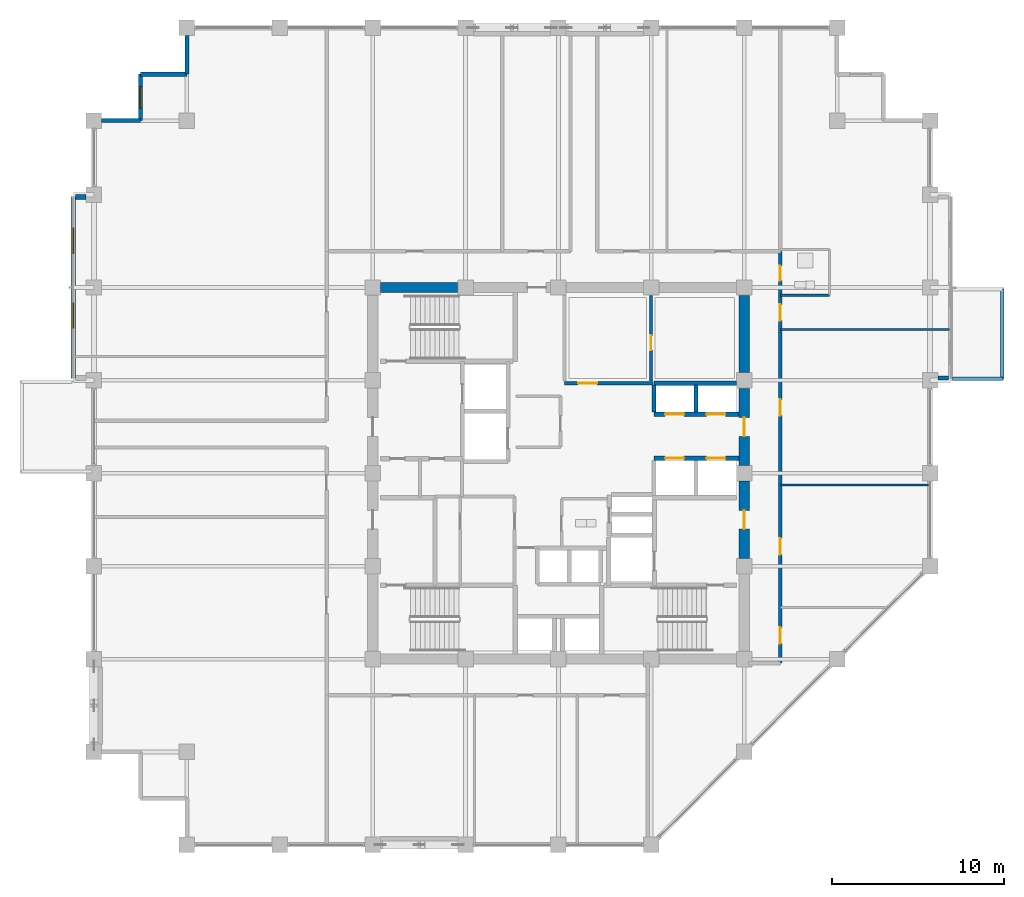
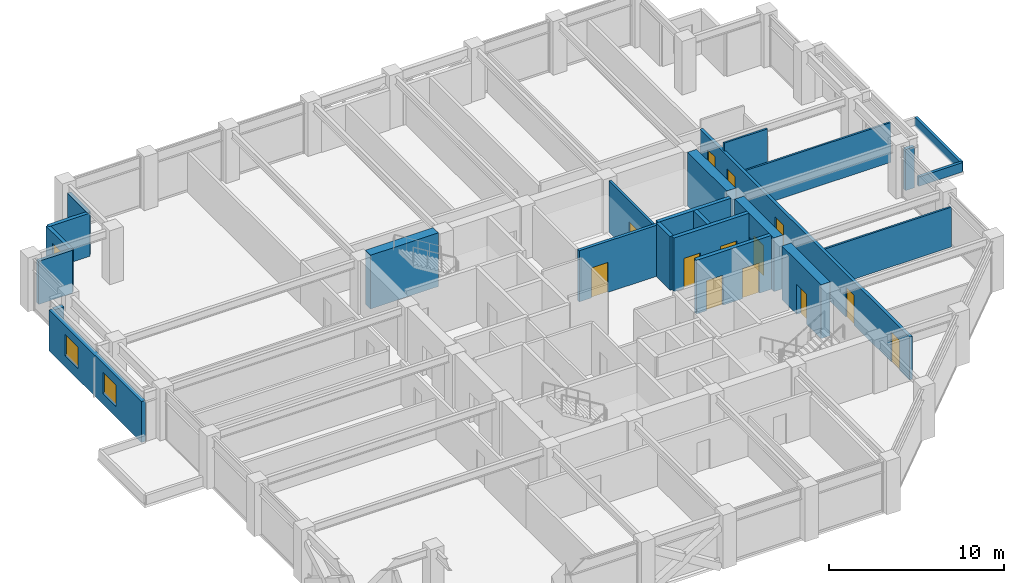
# One storey, part 24 of 28: 24 walls, 13 doors, 3 windows, 16 openings.
"""IFC4 building model written with IfcOpenShell, lengths in metres."""

from ifc_helpers import new_model, si_unit, direction, frame, frame_2d, origin, place, context, subcontext, project, spatial, rectangle, extrude, material, layer, layer_set, type_object, element, fill, save


model = new_model("IFC4")

# Units and contexts
model_context = context("Model", 3, precision=1e-05, world=origin(), true_north=direction((0.0, 1.0)))
body_context = subcontext(model_context, "Body", "Model", "MODEL_VIEW")
ifc_project = project(units=[si_unit("LENGTHUNIT", "METRE"), si_unit("AREAUNIT", "SQUARE_METRE"), si_unit("VOLUMEUNIT", "CUBIC_METRE"), si_unit("PLANEANGLEUNIT", "RADIAN"), si_unit("MASSUNIT", "GRAM", prefix="KILO")], contexts=[model_context])

# Site, building, storey
site_placement = place(None, origin())
site = spatial("IfcSite", under=ifc_project, at=site_placement, CompositionType="ELEMENT")
building_placement = place(site_placement, origin())
building = spatial("IfcBuilding", under=site, at=building_placement, Name="Surkhivell Harbour Commons", CompositionType="ELEMENT")
storey_placement = place(building_placement, frame((0.0, 0.0, 182.25)))
storey = spatial("IfcBuildingStorey", under=building, at=storey_placement, Name="L47", CompositionType="ELEMENT", Elevation=182.25)

# Wall
ifc_material_1 = material(Name="Concrete C60/75", Category="concrete")
ifc_layer_1 = layer(ifc_material_1, 0.60009765625)
ifc_layer_set_1 = layer_set([ifc_layer_1], Name="Concrete C60/75")
wall_type_1 = type_object("IfcWallType", Name="WAL-CORE-600", PredefinedType="SHEAR", material=ifc_layer_set_1)
wall_1_placement = place(storey_placement, frame((-10.340087890625, 10.800048828125, 0.0), z_axis=(0.0, 0.0, 1.0), x_axis=(1.0, 0.0, 0.0)))
element("IfcWall", 1, at=wall_1_placement, inside=storey, type_object=wall_type_1, Name="L47 Core Shear Wall North 1", PredefinedType="SHEAR", context=body_context, shape_type="SweptSolid", body=[
    extrude(rectangle(XDim=4.47998046875, YDim=0.60009765625, at=frame_2d((2.239990234375, 0.0))), origin(), (0.0, 0.0, 1.0), 3.75),
])

# Wall, opening, door
wall_2_placement = place(storey_placement, frame((10.800048828125, -4.93994140625, 0.0), z_axis=(0.0, 0.0, 1.0), x_axis=(0.0, 1.0, 0.0)))
wall_2 = element("IfcWall", 2, at=wall_2_placement, inside=storey, type_object=wall_type_1, Name="L47 Core Shear Wall East 2", PredefinedType="SHEAR", context=body_context, shape_type="SweptSolid", body=[
    extrude(rectangle(XDim=4.47998046875, YDim=0.60009765625, at=frame_2d((2.239990234375, 0.0))), origin(), (0.0, 0.0, 1.0), 3.75),
])
opening_1_placement = place(wall_2_placement, frame((1.68994140625, 0.0, 0.0)))
opening_1 = element("IfcOpeningElement", 3, at=opening_1_placement, cuts=wall_2, Name="Opening ID-1", PredefinedType="OPENING", context=body_context, shape_type="SweptSolid", body=[
    extrude(rectangle(XDim=1.10009765625, YDim=2.10009765625, at=frame_2d((0.550048828125, 1.050048828125))), frame((0.0, 0.31005859375, 0.0), z_axis=(0.0, -1.0, 0.0), x_axis=(1.0, 0.0, 0.0)), (0.0, 0.0, 1.0), 0.6201171875),
])
ifc_material_2 = material(Name="Hardwood-veneered fire-rated door leaf", Category="wood")
door_type_1 = type_object("IfcDoorType", Name="DOR-FD120-1100", OperationType="NOTDEFINED", PredefinedType="DOOR", material=ifc_material_2)
door_1_placement = place(opening_1_placement, origin())
door_1 = element("IfcDoor", 4, at=door_1_placement, inside=storey, type_object=door_type_1, Name="L47 Firefighting Lobby 2 Corridor Door", OperationType="SINGLE_SWING_RIGHT", OverallHeight=2.10009765625, OverallWidth=1.10009765625, PredefinedType="DOOR", context=body_context, shape_type="SweptSolid", body=[
    extrude(rectangle(XDim=1.10009765625, YDim=2.10009765625, at=frame_2d((0.550048828125, 1.050048828125))), frame((0.0, 0.02490234375, 0.0), z_axis=(0.0, -1.0, 0.0), x_axis=(1.0, 0.0, 0.0)), (0.0, 0.0, 1.0), 0.050048828125),
])
fill(opening_1, door_1)

wall_3_placement = place(storey_placement, frame((10.800048828125, 0.4599609375, 0.0), z_axis=(0.0, 0.0, 1.0), x_axis=(0.0, 1.0, 0.0)))
wall_3 = element("IfcWall", 5, at=wall_3_placement, inside=storey, type_object=wall_type_1, Name="L47 Core Shear Wall East 3", PredefinedType="SHEAR", context=body_context, shape_type="SweptSolid", body=[
    extrude(rectangle(XDim=4.47998046875, YDim=0.60009765625, at=frame_2d((2.239990234375, 0.0))), origin(), (0.0, 0.0, 1.0), 3.75),
])
opening_2_placement = place(wall_3_placement, frame((1.68994140625, 0.0, 0.0)))
opening_2 = element("IfcOpeningElement", 6, at=opening_2_placement, cuts=wall_3, Name="Opening ID-2", PredefinedType="OPENING", context=body_context, shape_type="SweptSolid", body=[
    extrude(rectangle(XDim=1.10009765625, YDim=2.10009765625, at=frame_2d((0.550048828125, 1.050048828125))), frame((0.0, 0.31005859375, 0.0), z_axis=(0.0, -1.0, 0.0), x_axis=(1.0, 0.0, 0.0)), (0.0, 0.0, 1.0), 0.6201171875),
])
door_type_2 = type_object("IfcDoorType", Name="DOR-FD60-1100", OperationType="NOTDEFINED", PredefinedType="DOOR", material=ifc_material_2)
door_2_placement = place(opening_2_placement, origin())
door_2 = element("IfcDoor", 7, at=door_2_placement, inside=storey, type_object=door_type_2, Name="L47 Mid-Rise Lobby East Door", OperationType="SINGLE_SWING_LEFT", OverallHeight=2.10009765625, OverallWidth=1.10009765625, PredefinedType="DOOR", context=body_context, shape_type="SweptSolid", body=[
    extrude(rectangle(XDim=1.10009765625, YDim=2.10009765625, at=frame_2d((0.550048828125, 1.050048828125))), frame((0.0, 0.02490234375, 0.0), z_axis=(0.0, -1.0, 0.0), x_axis=(1.0, 0.0, 0.0)), (0.0, 0.0, 1.0), 0.050048828125),
])
fill(opening_2, door_2)

# Walls
wall_4_placement = place(storey_placement, frame((10.800048828125, 5.860107421875, 0.0), z_axis=(0.0, 0.0, 1.0), x_axis=(0.0, 1.0, 0.0)))
element("IfcWall", 8, at=wall_4_placement, inside=storey, type_object=wall_type_1, Name="L47 Core Shear Wall East 4", PredefinedType="SHEAR", context=body_context, shape_type="SweptSolid", body=[
    extrude(rectangle(XDim=4.47998046875, YDim=0.60009765625, at=frame_2d((2.239990234375, 0.0))), origin(), (0.0, 0.0, 1.0), 3.75),
])
ifc_material_3 = material(Name="Bronze-ochre cassette precast concrete C45/55", Category="concrete")
ifc_layer_2 = layer(ifc_material_3, 0.239990234375)
ifc_layer_set_2 = layer_set([ifc_layer_2], Name="Bronze-ochre cassette precast concrete C45/55")
wall_type_2 = type_object("IfcWallType", Name="WAL-EXT-OCH240", PredefinedType="STANDARD", material=ifc_layer_set_2)
wall_5_placement = place(storey_placement, frame((22.053955078125, 5.5400390625, 0.0), z_axis=(0.0, 0.0, 1.0), x_axis=(1.0, 0.0, 0.0)))
element("IfcWall", 9, at=wall_5_placement, inside=storey, type_object=wall_type_2, Name="L47 Coloured Box Return Wall 01S", PredefinedType="STANDARD", context=body_context, shape_type="SweptSolid", body=[
    extrude(rectangle(XDim=0.60595703125, YDim=0.239990234375, at=frame_2d((0.302978515625, 0.0))), origin(), (0.0, 0.0, 1.0), 2.85693359375),
])
wall_6_placement = place(storey_placement, frame((-21.60009765625, 25.451904296875, 0.0), z_axis=(0.0, 0.0, 1.0), x_axis=(0.0, -1.0, 0.0)))
element("IfcWall", 10, at=wall_6_placement, inside=storey, type_object=wall_type_2, Name="L47 Serrated Corner Facade Wall 08", PredefinedType="STANDARD", context=body_context, shape_type="SweptSolid", body=[
    extrude(rectangle(XDim=2.251953125, YDim=0.239990234375, at=frame_2d((1.1259765625, 0.0))), origin(), (0.0, 0.0, 1.0), 3.006103515625),
])
wall_7_placement = place(storey_placement, frame((-21.60009765625, 23.199951171875, 0.0), z_axis=(0.0, 0.0, 1.0), x_axis=(-1.0, 0.0, 0.0)))
element("IfcWall", 11, at=wall_7_placement, inside=storey, type_object=wall_type_2, Name="L47 Serrated Corner Facade Wall 09", PredefinedType="STANDARD", context=body_context, shape_type="SweptSolid", body=[
    extrude(rectangle(XDim=2.699951171875, YDim=0.239990234375, at=frame_2d((1.35009765625, 0.0))), origin(), (0.0, 0.0, 1.0), 3.006103515625),
])

# Wall, opening, window
wall_8_placement = place(storey_placement, frame((-24.300048828125, 23.199951171875, 0.0), z_axis=(0.0, 0.0, 1.0), x_axis=(0.0, -1.0, 0.0)))
wall_8 = element("IfcWall", 12, at=wall_8_placement, inside=storey, type_object=wall_type_2, Name="L47 Serrated Corner Facade Wall 10", PredefinedType="STANDARD", context=body_context, shape_type="SweptSolid", body=[
    extrude(rectangle(XDim=2.699951171875, YDim=0.239990234375, at=frame_2d((1.35009765625, 0.0))), origin(), (0.0, 0.0, 1.0), 3.006103515625),
])
opening_3_placement = place(wall_8_placement, frame((0.72509765625, 0.0, 0.64990234375)))
opening_3 = element("IfcOpeningElement", 13, at=opening_3_placement, cuts=wall_8, Name="Opening WN-09", PredefinedType="OPENING", context=body_context, shape_type="SweptSolid", body=[
    extrude(rectangle(XDim=1.25, YDim=1.60009765625, at=frame_2d((0.625, 0.800048828125))), frame((0.0, 0.1298828125, 0.0), z_axis=(0.0, -1.0, 0.0), x_axis=(1.0, 0.0, 0.0)), (0.0, 0.0, 1.0), 0.260009765625),
])
ifc_material_4 = material(Name="Thermal-break aluminium frame and double low-E glazing", Category="aluminium")
window_type_1 = type_object("IfcWindowType", Name="WIN-SER-1250x1600", PartitioningType="SINGLE_PANEL", PredefinedType="WINDOW", material=ifc_material_4)
window_1_placement = place(opening_3_placement, origin())
window_1 = element("IfcWindow", 14, at=window_1_placement, inside=storey, type_object=window_type_1, Name="L47 Serrated Alcove Window 10", OverallHeight=1.60009765625, OverallWidth=1.25, PartitioningType="SINGLE_PANEL", PredefinedType="WINDOW", context=body_context, shape_type="SweptSolid", body=[
    extrude(rectangle(XDim=1.25, YDim=1.60009765625, at=frame_2d((0.625, 0.800048828125))), frame((0.0, 0.030029296875, 0.0), z_axis=(0.0, -1.0, 0.0), x_axis=(1.0, 0.0, 0.0)), (0.0, 0.0, 1.0), 0.06005859375),
])
fill(opening_3, window_1)

# Wall
wall_9_placement = place(storey_placement, frame((-24.300048828125, 20.5, 0.0), z_axis=(0.0, 0.0, 1.0), x_axis=(-1.0, 0.0, 0.0)))
element("IfcWall", 15, at=wall_9_placement, inside=storey, type_object=wall_type_2, Name="L47 Serrated Corner Facade Wall 11", PredefinedType="STANDARD", context=body_context, shape_type="SweptSolid", body=[
    extrude(rectangle(XDim=2.251953125, YDim=0.239990234375, at=frame_2d((1.1259765625, 0.0))), origin(), (0.0, 0.0, 1.0), 3.006103515625),
])

# Wall, openings, windows
ifc_material_5 = material(Name="Terracotta-clad reinforced concrete C45/55", Category="masonry")
ifc_layer_3 = layer(ifc_material_5, 0.280029296875)
ifc_layer_set_3 = layer_set([ifc_layer_3], Name="Terracotta-clad reinforced concrete C45/55")
wall_type_3 = type_object("IfcWallType", Name="WAL-EXT-TER280", PredefinedType="STANDARD", material=ifc_layer_set_3)
wall_10_placement = place(storey_placement, frame((-28.199951171875, 16.080078125, 0.0), z_axis=(0.0, 0.0, 1.0), x_axis=(0.0, -1.0, 0.0)))
wall_10 = element("IfcWall", 16, at=wall_10_placement, inside=storey, type_object=wall_type_3, Name="L47 Coloured Box Front Wall 02", PredefinedType="STANDARD", context=body_context, shape_type="SweptSolid", body=[
    extrude(rectangle(XDim=10.56005859375, YDim=0.280029296875, at=frame_2d((5.280029296875, 0.0))), origin(), (0.0, 0.0, 1.0), 2.85693359375),
])
opening_4_placement = place(wall_10_placement, frame((1.8173828125, 0.0, 0.75)))
opening_4 = element("IfcOpeningElement", 17, at=opening_4_placement, cuts=wall_10, Name="Opening WN-13", PredefinedType="OPENING", context=body_context, shape_type="SweptSolid", body=[
    extrude(rectangle(XDim=1.5, YDim=1.5, at=frame_2d((0.75, 0.75))), frame((0.0, 0.14990234375, 0.0), z_axis=(0.0, -1.0, 0.0), x_axis=(1.0, 0.0, 0.0)), (0.0, 0.0, 1.0), 0.300048828125),
])
opening_5_placement = place(wall_10_placement, frame((6.152587890625, 0.0, 0.75)))
opening_5 = element("IfcOpeningElement", 18, at=opening_5_placement, cuts=wall_10, Name="Opening WN-13", PredefinedType="OPENING", context=body_context, shape_type="SweptSolid", body=[
    extrude(rectangle(XDim=1.5, YDim=1.5, at=frame_2d((0.75, 0.75))), frame((0.0, 0.14990234375, 0.0), z_axis=(0.0, -1.0, 0.0), x_axis=(1.0, 0.0, 0.0)), (0.0, 0.0, 1.0), 0.300048828125),
])
window_type_2 = type_object("IfcWindowType", Name="WIN-BOX-1500x1500", PartitioningType="SINGLE_PANEL", PredefinedType="WINDOW", material=ifc_material_4)
window_2_placement = place(opening_4_placement, origin())
window_2 = element("IfcWindow", 19, at=window_2_placement, inside=storey, type_object=window_type_2, Name="L47 Coloured Box Square Window 02-1", OverallHeight=1.5, OverallWidth=1.5, PartitioningType="SINGLE_PANEL", PredefinedType="WINDOW", context=body_context, shape_type="SweptSolid", body=[
    extrude(rectangle(XDim=1.5, YDim=1.5, at=frame_2d((0.75, 0.75))), frame((0.0, 0.030029296875, 0.0), z_axis=(0.0, -1.0, 0.0), x_axis=(1.0, 0.0, 0.0)), (0.0, 0.0, 1.0), 0.06005859375),
])
fill(opening_4, window_2)
window_3_placement = place(opening_5_placement, origin())
window_3 = element("IfcWindow", 20, at=window_3_placement, inside=storey, type_object=window_type_2, Name="L47 Coloured Box Square Window 02-2", OverallHeight=1.5, OverallWidth=1.5, PartitioningType="SINGLE_PANEL", PredefinedType="WINDOW", context=body_context, shape_type="SweptSolid", body=[
    extrude(rectangle(XDim=1.5, YDim=1.5, at=frame_2d((0.75, 0.75))), frame((0.0, 0.030029296875, 0.0), z_axis=(0.0, -1.0, 0.0), x_axis=(1.0, 0.0, 0.0)), (0.0, 0.0, 1.0), 0.06005859375),
])
fill(opening_5, window_3)

# Walls
wall_11_placement = place(storey_placement, frame((-28.06005859375, 16.06005859375, 0.0), z_axis=(0.0, 0.0, 1.0), x_axis=(1.0, 0.0, 0.0)))
element("IfcWall", 21, at=wall_11_placement, inside=storey, type_object=wall_type_3, Name="L47 Coloured Box Return Wall 02N", PredefinedType="STANDARD", context=body_context, shape_type="SweptSolid", body=[
    extrude(rectangle(XDim=0.60595703125, YDim=0.280029296875, at=frame_2d((0.302978515625, 0.0))), origin(), (0.0, 0.0, 1.0), 2.85693359375),
])
ifc_material_6 = material(Name="Moisture-resistant acoustic stud partition", Category="other")
ifc_layer_4 = layer(ifc_material_6, 0.125)
ifc_layer_set_4 = layer_set([ifc_layer_4], Name="Moisture-resistant acoustic stud partition")
wall_type_4 = type_object("IfcWallType", Name="WAL-INT-125", PredefinedType="PARTITIONING", material=ifc_layer_set_4)
wall_12_placement = place(storey_placement, frame((12.89990234375, -0.68994140625, 0.0), z_axis=(0.0, 0.0, 1.0), x_axis=(1.0, 0.0, 0.0)))
element("IfcWall", 22, at=wall_12_placement, inside=storey, type_object=wall_type_4, Name="L47 East Partition BDP1", PredefinedType="PARTITIONING", context=body_context, shape_type="SweptSolid", body=[
    extrude(rectangle(XDim=8.64013671875, YDim=0.125, at=frame_2d((4.320068359375, 0.0))), origin(), (0.0, 0.0, 1.0), 2.780029296875),
])
wall_13_placement = place(storey_placement, frame((12.89990234375, 10.35009765625, 0.0), z_axis=(0.0, 0.0, 1.0), x_axis=(1.0, 0.0, 0.0)))
element("IfcWall", 23, at=wall_13_placement, inside=storey, type_object=wall_type_4, Name="L47 East Partition BTHS", PredefinedType="PARTITIONING", context=body_context, shape_type="SweptSolid", body=[
    extrude(rectangle(XDim=2.85009765625, YDim=0.125, at=frame_2d((1.425048828125, 0.0))), origin(), (0.0, 0.0, 1.0), 3.570068359375),
])
wall_14_placement = place(storey_placement, frame((12.89990234375, 8.35009765625, 0.0), z_axis=(0.0, 0.0, 1.0), x_axis=(1.0, 0.0, 0.0)))
element("IfcWall", 24, at=wall_14_placement, inside=storey, type_object=wall_type_4, Name="L47 East Partition PTOP", PredefinedType="PARTITIONING", context=body_context, shape_type="SweptSolid", body=[
    extrude(rectangle(XDim=9.840087890625, YDim=0.125, at=frame_2d((4.919921875, 0.0))), origin(), (0.0, 0.0, 1.0), 2.780029296875),
])

# Wall, opening, door
ifc_material_7 = material(Name="Twin-stud acoustic fireboard partition", Category="other")
ifc_layer_5 = layer(ifc_material_7, 0.14990234375)
ifc_layer_set_5 = layer_set([ifc_layer_5], Name="Twin-stud acoustic fireboard partition")
wall_type_5 = type_object("IfcWallType", Name="WAL-INT-150", PredefinedType="PARTITIONING", material=ifc_layer_set_5)
wall_15_placement = place(storey_placement, frame((5.3798828125, 5.360107421875, 0.0), z_axis=(0.0, 0.0, 1.0), x_axis=(0.0, 1.0, 0.0)))
wall_15 = element("IfcWall", 25, at=wall_15_placement, inside=storey, type_object=wall_type_5, Name="L47 Core Library Divider", PredefinedType="PARTITIONING", context=body_context, shape_type="SweptSolid", body=[
    extrude(rectangle(XDim=4.97998046875, YDim=0.14990234375, at=frame_2d((2.489990234375, 0.0))), origin(), (0.0, 0.0, 1.0), 3.570068359375),
])
opening_6_placement = place(wall_15_placement, frame((1.800048828125, 0.0, 0.0)))
opening_6 = element("IfcOpeningElement", 26, at=opening_6_placement, cuts=wall_15, Name="Opening ID-6", PredefinedType="OPENING", context=body_context, shape_type="SweptSolid", body=[
    extrude(rectangle(XDim=0.85009765625, YDim=2.10009765625, at=frame_2d((0.425048828125, 1.050048828125))), frame((0.0, 0.0849609375, 0.0), z_axis=(0.0, -1.0, 0.0), x_axis=(1.0, 0.0, 0.0)), (0.0, 0.0, 1.0), 0.169921875),
])
door_type_3 = type_object("IfcDoorType", Name="DOR-FD30-850", OperationType="NOTDEFINED", PredefinedType="DOOR", material=ifc_material_2)
door_3_placement = place(opening_6_placement, origin())
door_3 = element("IfcDoor", 27, at=door_3_placement, inside=storey, type_object=door_type_3, Name="L47 Core Reading Door", OperationType="SINGLE_SWING_RIGHT", OverallHeight=2.10009765625, OverallWidth=0.85009765625, PredefinedType="DOOR", context=body_context, shape_type="SweptSolid", body=[
    extrude(rectangle(XDim=0.85009765625, YDim=2.10009765625, at=frame_2d((0.425048828125, 1.050048828125))), frame((0.0, 0.02490234375, 0.0), z_axis=(0.0, -1.0, 0.0), x_axis=(1.0, 0.0, 0.0)), (0.0, 0.0, 1.0), 0.050048828125),
])
fill(opening_6, door_3)

ifc_material_8 = material(Name="Autoclaved aerated concrete blockwork and fire plaster", Category="masonry")
ifc_layer_6 = layer(ifc_material_8, 0.199951171875)
ifc_layer_set_6 = layer_set([ifc_layer_6], Name="Autoclaved aerated concrete blockwork and fire plaster")
wall_type_6 = type_object("IfcWallType", Name="WAL-INT-200", PredefinedType="PARTITIONING", material=ifc_layer_set_6)
wall_16_placement = place(storey_placement, frame((0.35009765625, 5.239990234375, 0.0), z_axis=(0.0, 0.0, 1.0), x_axis=(1.0, 0.0, 0.0)))
wall_16 = element("IfcWall", 28, at=wall_16_placement, inside=storey, type_object=wall_type_6, Name="L47 Reclaimed Core North Bay South Wall", PredefinedType="PARTITIONING", context=body_context, shape_type="SweptSolid", body=[
    extrude(rectangle(XDim=5.14990234375, YDim=0.199951171875, at=frame_2d((2.574951171875, 0.0))), origin(), (0.0, 0.0, 1.0), 3.570068359375),
])
opening_7_placement = place(wall_16_placement, frame((0.800048828125, 0.0, 0.0)))
opening_7 = element("IfcOpeningElement", 29, at=opening_7_placement, cuts=wall_16, Name="Opening ID-2", PredefinedType="OPENING", context=body_context, shape_type="SweptSolid", body=[
    extrude(rectangle(XDim=1.10009765625, YDim=2.10009765625, at=frame_2d((0.550048828125, 1.050048828125))), frame((0.0, 0.10986328125, 0.0), z_axis=(0.0, -1.0, 0.0), x_axis=(1.0, 0.0, 0.0)), (0.0, 0.0, 1.0), 0.219970703125),
])
door_4_placement = place(opening_7_placement, origin())
door_4 = element("IfcDoor", 30, at=door_4_placement, inside=storey, type_object=door_type_2, Name="L47 Core Study Door", OperationType="SINGLE_SWING_LEFT", OverallHeight=2.10009765625, OverallWidth=1.10009765625, PredefinedType="DOOR", context=body_context, shape_type="SweptSolid", body=[
    extrude(rectangle(XDim=1.10009765625, YDim=2.10009765625, at=frame_2d((0.550048828125, 1.050048828125))), frame((0.0, 0.02490234375, 0.0), z_axis=(0.0, -1.0, 0.0), x_axis=(1.0, 0.0, 0.0)), (0.0, 0.0, 1.0), 0.050048828125),
])
fill(opening_7, door_4)

# Wall, openings, doors
wall_17_placement = place(storey_placement, frame((12.89990234375, -11.0400390625, 0.0), z_axis=(0.0, 0.0, 1.0), x_axis=(0.0, 1.0, 0.0)))
wall_17 = element("IfcWall", 31, at=wall_17_placement, inside=storey, type_object=wall_type_6, Name="L47 Corridor East Wall", PredefinedType="PARTITIONING", context=body_context, shape_type="SweptSolid", body=[
    extrude(rectangle(XDim=23.93994140625, YDim=0.199951171875, at=frame_2d((11.969970703125, 0.0))), origin(), (0.0, 0.0, 1.0), 3.006103515625),
])
opening_8_placement = place(wall_17_placement, frame((1.139892578125, 0.0, 0.0)))
opening_8 = element("IfcOpeningElement", 32, at=opening_8_placement, cuts=wall_17, Name="Opening ID-4", PredefinedType="OPENING", context=body_context, shape_type="SweptSolid", body=[
    extrude(rectangle(XDim=0.949951171875, YDim=2.10009765625, at=frame_2d((0.47509765625, 1.050048828125))), frame((0.0, 0.10986328125, 0.0), z_axis=(0.0, -1.0, 0.0), x_axis=(1.0, 0.0, 0.0)), (0.0, 0.0, 1.0), 0.219970703125),
])
opening_9_placement = place(wall_17_placement, frame((22.2451171875, 0.0, 0.0)))
opening_9 = element("IfcOpeningElement", 33, at=opening_9_placement, cuts=wall_17, Name="Opening ID-6", PredefinedType="OPENING", context=body_context, shape_type="SweptSolid", body=[
    extrude(rectangle(XDim=0.85009765625, YDim=2.10009765625, at=frame_2d((0.425048828125, 1.050048828125))), frame((0.0, 0.10986328125, 0.0), z_axis=(0.0, -1.0, 0.0), x_axis=(1.0, 0.0, 0.0)), (0.0, 0.0, 1.0), 0.219970703125),
])
opening_10_placement = place(wall_17_placement, frame((19.909912109375, 0.0, 0.0)))
opening_10 = element("IfcOpeningElement", 34, at=opening_10_placement, cuts=wall_17, Name="Opening ID-4", PredefinedType="OPENING", context=body_context, shape_type="SweptSolid", body=[
    extrude(rectangle(XDim=0.949951171875, YDim=2.10009765625, at=frame_2d((0.47509765625, 1.050048828125))), frame((0.0, 0.10986328125, 0.0), z_axis=(0.0, -1.0, 0.0), x_axis=(1.0, 0.0, 0.0)), (0.0, 0.0, 1.0), 0.219970703125),
])
opening_11_placement = place(wall_17_placement, frame((6.31494140625, 0.0, 0.0)))
opening_11 = element("IfcOpeningElement", 35, at=opening_11_placement, cuts=wall_17, Name="Opening ID-4", PredefinedType="OPENING", context=body_context, shape_type="SweptSolid", body=[
    extrude(rectangle(XDim=0.949951171875, YDim=2.10009765625, at=frame_2d((0.47509765625, 1.050048828125))), frame((0.0, 0.10986328125, 0.0), z_axis=(0.0, -1.0, 0.0), x_axis=(1.0, 0.0, 0.0)), (0.0, 0.0, 1.0), 0.219970703125),
])
opening_12_placement = place(wall_17_placement, frame((14.389892578125, 0.0, 0.0)))
opening_12 = element("IfcOpeningElement", 36, at=opening_12_placement, cuts=wall_17, Name="Opening ID-4", PredefinedType="OPENING", context=body_context, shape_type="SweptSolid", body=[
    extrude(rectangle(XDim=0.949951171875, YDim=2.10009765625, at=frame_2d((0.47509765625, 1.050048828125))), frame((0.0, 0.10986328125, 0.0), z_axis=(0.0, -1.0, 0.0), x_axis=(1.0, 0.0, 0.0)), (0.0, 0.0, 1.0), 0.219970703125),
])
door_5_placement = place(opening_9_placement, origin())
door_5 = element("IfcDoor", 37, at=door_5_placement, inside=storey, type_object=door_type_3, Name="L47 Communal Shower Bathroom East Door", OperationType="SINGLE_SWING_RIGHT", OverallHeight=2.10009765625, OverallWidth=0.85009765625, PredefinedType="DOOR", context=body_context, shape_type="SweptSolid", body=[
    extrude(rectangle(XDim=0.85009765625, YDim=2.10009765625, at=frame_2d((0.425048828125, 1.050048828125))), frame((0.0, 0.02490234375, 0.0), z_axis=(0.0, -1.0, 0.0), x_axis=(1.0, 0.0, 0.0)), (0.0, 0.0, 1.0), 0.050048828125),
])
fill(opening_9, door_5)
door_type_4 = type_object("IfcDoorType", Name="DOR-FD60-950", OperationType="NOTDEFINED", PredefinedType="DOOR", material=ifc_material_2)
door_6_placement = place(opening_8_placement, origin())
door_6 = element("IfcDoor", 38, at=door_6_placement, inside=storey, type_object=door_type_4, Name="L47 Shared Communal Kitchen East Door", OperationType="SINGLE_SWING_LEFT", OverallHeight=2.10009765625, OverallWidth=0.949951171875, PredefinedType="DOOR", context=body_context, shape_type="SweptSolid", body=[
    extrude(rectangle(XDim=0.949951171875, YDim=2.10009765625, at=frame_2d((0.47509765625, 1.050048828125))), frame((0.0, 0.02490234375, 0.0), z_axis=(0.0, -1.0, 0.0), x_axis=(1.0, 0.0, 0.0)), (0.0, 0.0, 1.0), 0.050048828125),
])
fill(opening_8, door_6)
door_7_placement = place(opening_10_placement, origin())
door_7 = element("IfcDoor", 39, at=door_7_placement, inside=storey, type_object=door_type_4, Name="L47 Academic Reading Commons East Door", OperationType="SINGLE_SWING_LEFT", OverallHeight=2.10009765625, OverallWidth=0.949951171875, PredefinedType="DOOR", context=body_context, shape_type="SweptSolid", body=[
    extrude(rectangle(XDim=0.949951171875, YDim=2.10009765625, at=frame_2d((0.47509765625, 1.050048828125))), frame((0.0, 0.02490234375, 0.0), z_axis=(0.0, -1.0, 0.0), x_axis=(1.0, 0.0, 0.0)), (0.0, 0.0, 1.0), 0.050048828125),
])
fill(opening_10, door_7)
door_8_placement = place(opening_11_placement, origin())
door_8 = element("IfcDoor", 40, at=door_8_placement, inside=storey, type_object=door_type_4, Name="L47 Hostel Cluster Bedroom 1 East Door", OperationType="SINGLE_SWING_RIGHT", OverallHeight=2.10009765625, OverallWidth=0.949951171875, PredefinedType="DOOR", context=body_context, shape_type="SweptSolid", body=[
    extrude(rectangle(XDim=0.949951171875, YDim=2.10009765625, at=frame_2d((0.47509765625, 1.050048828125))), frame((0.0, 0.02490234375, 0.0), z_axis=(0.0, -1.0, 0.0), x_axis=(1.0, 0.0, 0.0)), (0.0, 0.0, 1.0), 0.050048828125),
])
fill(opening_11, door_8)
door_9_placement = place(opening_12_placement, origin())
door_9 = element("IfcDoor", 41, at=door_9_placement, inside=storey, type_object=door_type_4, Name="L47 Co-Living Dormitory Bedroom 2 East Door", OperationType="SINGLE_SWING_LEFT", OverallHeight=2.10009765625, OverallWidth=0.949951171875, PredefinedType="DOOR", context=body_context, shape_type="SweptSolid", body=[
    extrude(rectangle(XDim=0.949951171875, YDim=2.10009765625, at=frame_2d((0.47509765625, 1.050048828125))), frame((0.0, 0.02490234375, 0.0), z_axis=(0.0, -1.0, 0.0), x_axis=(1.0, 0.0, 0.0)), (0.0, 0.0, 1.0), 0.050048828125),
])
fill(opening_12, door_9)

# Walls
ifc_material_9 = material(Name="Anodised aluminium and precast concrete C40/50", Category="concrete")
ifc_layer_7 = layer(ifc_material_9, 0.18505859375)
ifc_layer_set_7 = layer_set([ifc_layer_7], Name="Anodised aluminium and precast concrete C40/50")
wall_type_7 = type_object("IfcWallType", Name="WAL-PAR-185", PredefinedType="PARAPET", material=ifc_layer_set_7)
wall_18_placement = place(storey_placement, frame((22.919921875, 5.5, 0.0), z_axis=(0.0, 0.0, 1.0), x_axis=(1.0, 0.0, 0.0)))
element("IfcWall", 42, at=wall_18_placement, inside=storey, type_object=wall_type_7, Name="L47 Box Roof Coping Parapet 1-1", PredefinedType="PARAPET", context=body_context, shape_type="SweptSolid", body=[
    extrude(rectangle(XDim=2.880126953125, YDim=0.18505859375, at=frame_2d((1.43994140625, 0.0))), origin(), (0.0, 0.0, 1.0), 0.64990234375),
])
wall_19_placement = place(storey_placement, frame((25.800048828125, 5.5, 0.0), z_axis=(0.0, 0.0, 1.0), x_axis=(0.0, 1.0, 0.0)))
element("IfcWall", 43, at=wall_19_placement, inside=storey, type_object=wall_type_7, Name="L47 Box Roof Coping Parapet 1-2", PredefinedType="PARAPET", context=body_context, shape_type="SweptSolid", body=[
    extrude(rectangle(XDim=5.199951171875, YDim=0.18505859375, at=frame_2d((2.60009765625, 0.0))), origin(), (0.0, 0.0, 1.0), 0.64990234375),
])
ifc_material_10 = material(Name="Concrete C50/60", Category="concrete")
ifc_layer_8 = layer(ifc_material_10, 0.25)
ifc_layer_set_8 = layer_set([ifc_layer_8], Name="Concrete C50/60")
wall_type_8 = type_object("IfcWallType", Name="WAL-SHAFT-250", PredefinedType="SHEAR", material=ifc_layer_set_8)
for number, where, z_axis, x_axis, name in (
    (44, (5.550048828125, 3.550048828125, 0.0), (0.0, 0.0, 1.0), (0.0, 1.0, 0.0), "L47 Mid-Rise Shaft Side Wall N"),
    (45, (8.0, 3.550048828125, 0.0), (0.0, 0.0, 1.0), (0.0, 1.0, 0.0), "L47 Mid-Rise Shaft Side Wall N"),
):
    element("IfcWall", number, at=place(storey_placement, frame(where, z_axis=z_axis, x_axis=x_axis)), inside=storey, type_object=wall_type_8, Name=name, PredefinedType="SHEAR", context=body_context, shape_type="SweptSolid", body=[
        extrude(rectangle(XDim=1.570068359375, YDim=0.25, at=frame_2d((0.78515625, 0.0))), origin(), (0.0, 0.0, 1.0), 3.75),
    ])

# Wall, openings, doors
wall_20_placement = place(storey_placement, frame((5.550048828125, 3.429931640625, 0.0), z_axis=(0.0, 0.0, 1.0), x_axis=(1.0, 0.0, 0.0)))
wall_20 = element("IfcWall", 46, at=wall_20_placement, inside=storey, type_object=wall_type_8, Name="L47 Mid-Rise North Front Shaft Wall", PredefinedType="SHEAR", context=body_context, shape_type="SweptSolid", body=[
    extrude(rectangle(XDim=4.949951171875, YDim=0.25, at=frame_2d((2.47509765625, 0.0))), origin(), (0.0, 0.0, 1.0), 3.75),
])
opening_13_placement = place(wall_20_placement, frame((0.64990234375, 0.0, 0.0)))
opening_13 = element("IfcOpeningElement", 47, at=opening_13_placement, cuts=wall_20, Name="Opening LD-1", PredefinedType="OPENING", context=body_context, shape_type="SweptSolid", body=[
    extrude(rectangle(XDim=1.10009765625, YDim=2.10009765625, at=frame_2d((0.550048828125, 1.050048828125))), frame((0.0, 0.135009765625, 0.0), z_axis=(0.0, -1.0, 0.0), x_axis=(1.0, 0.0, 0.0)), (0.0, 0.0, 1.0), 0.27001953125),
])
opening_14_placement = place(wall_20_placement, frame((3.050048828125, 0.0, 0.0)))
opening_14 = element("IfcOpeningElement", 48, at=opening_14_placement, cuts=wall_20, Name="Opening LD-1", PredefinedType="OPENING", context=body_context, shape_type="SweptSolid", body=[
    extrude(rectangle(XDim=1.10009765625, YDim=2.10009765625, at=frame_2d((0.550048828125, 1.050048828125))), frame((0.0, 0.135009765625, 0.0), z_axis=(0.0, -1.0, 0.0), x_axis=(1.0, 0.0, 0.0)), (0.0, 0.0, 1.0), 0.27001953125),
])
ifc_material_11 = material(Name="Brushed stainless steel S355", Category="steel")
door_type_5 = type_object("IfcDoorType", Name="DOR-LD-1100", OperationType="SLIDING_TO_LEFT", PredefinedType="DOOR", material=ifc_material_11)
door_10_placement = place(opening_13_placement, origin())
door_10 = element("IfcDoor", 49, at=door_10_placement, inside=storey, type_object=door_type_5, Name="L47 Lift Landing Door LD-PM1", OperationType="SLIDING_TO_RIGHT", OverallHeight=2.10009765625, OverallWidth=1.10009765625, PredefinedType="DOOR", context=body_context, shape_type="SweptSolid", body=[
    extrude(rectangle(XDim=1.10009765625, YDim=2.10009765625, at=frame_2d((0.550048828125, 1.050048828125))), frame((0.0, 0.02490234375, 0.0), z_axis=(0.0, -1.0, 0.0), x_axis=(1.0, 0.0, 0.0)), (0.0, 0.0, 1.0), 0.050048828125),
])
fill(opening_13, door_10)
door_11_placement = place(opening_14_placement, origin())
door_11 = element("IfcDoor", 50, at=door_11_placement, inside=storey, type_object=door_type_5, Name="L47 Lift Landing Door LD-PM2", OperationType="SLIDING_TO_RIGHT", OverallHeight=2.10009765625, OverallWidth=1.10009765625, PredefinedType="DOOR", context=body_context, shape_type="SweptSolid", body=[
    extrude(rectangle(XDim=1.10009765625, YDim=2.10009765625, at=frame_2d((0.550048828125, 1.050048828125))), frame((0.0, 0.02490234375, 0.0), z_axis=(0.0, -1.0, 0.0), x_axis=(1.0, 0.0, 0.0)), (0.0, 0.0, 1.0), 0.050048828125),
])
fill(opening_14, door_11)

# Wall
wall_21_placement = place(storey_placement, frame((5.550048828125, 5.239990234375, 0.0), z_axis=(0.0, 0.0, 1.0), x_axis=(1.0, 0.0, 0.0)))
element("IfcWall", 51, at=wall_21_placement, inside=storey, type_object=wall_type_8, Name="L47 Mid-Rise North Back Shaft Wall", PredefinedType="SHEAR", context=body_context, shape_type="SweptSolid", body=[
    extrude(rectangle(XDim=4.800048828125, YDim=0.25, at=frame_2d((2.39990234375, 0.0))), origin(), (0.0, 0.0, 1.0), 3.75),
])

# Wall, openings, doors
wall_22_placement = place(storey_placement, frame((5.550048828125, 0.8701171875, 0.0), z_axis=(0.0, 0.0, 1.0), x_axis=(1.0, 0.0, 0.0)))
wall_22 = element("IfcWall", 52, at=wall_22_placement, inside=storey, type_object=wall_type_8, Name="L47 Mid-Rise South Front Shaft Wall", PredefinedType="SHEAR", context=body_context, shape_type="SweptSolid", body=[
    extrude(rectangle(XDim=4.949951171875, YDim=0.25, at=frame_2d((2.47509765625, 0.0))), origin(), (0.0, 0.0, 1.0), 3.75),
])
opening_15_placement = place(wall_22_placement, frame((0.64990234375, 0.0, 0.0)))
opening_15 = element("IfcOpeningElement", 53, at=opening_15_placement, cuts=wall_22, Name="Opening LD-1", PredefinedType="OPENING", context=body_context, shape_type="SweptSolid", body=[
    extrude(rectangle(XDim=1.10009765625, YDim=2.10009765625, at=frame_2d((0.550048828125, 1.050048828125))), frame((0.0, 0.135009765625, 0.0), z_axis=(0.0, -1.0, 0.0), x_axis=(1.0, 0.0, 0.0)), (0.0, 0.0, 1.0), 0.27001953125),
])
opening_16_placement = place(wall_22_placement, frame((3.050048828125, 0.0, 0.0)))
opening_16 = element("IfcOpeningElement", 54, at=opening_16_placement, cuts=wall_22, Name="Opening LD-1", PredefinedType="OPENING", context=body_context, shape_type="SweptSolid", body=[
    extrude(rectangle(XDim=1.10009765625, YDim=2.10009765625, at=frame_2d((0.550048828125, 1.050048828125))), frame((0.0, 0.135009765625, 0.0), z_axis=(0.0, -1.0, 0.0), x_axis=(1.0, 0.0, 0.0)), (0.0, 0.0, 1.0), 0.27001953125),
])
door_12_placement = place(opening_15_placement, origin())
door_12 = element("IfcDoor", 55, at=door_12_placement, inside=storey, type_object=door_type_5, Name="L47 Lift Landing Door LD-PM3", OperationType="SLIDING_TO_RIGHT", OverallHeight=2.10009765625, OverallWidth=1.10009765625, PredefinedType="DOOR", context=body_context, shape_type="SweptSolid", body=[
    extrude(rectangle(XDim=1.10009765625, YDim=2.10009765625, at=frame_2d((0.550048828125, 1.050048828125))), frame((0.0, 0.02490234375, 0.0), z_axis=(0.0, -1.0, 0.0), x_axis=(1.0, 0.0, 0.0)), (0.0, 0.0, 1.0), 0.050048828125),
])
fill(opening_15, door_12)
door_13_placement = place(opening_16_placement, origin())
door_13 = element("IfcDoor", 56, at=door_13_placement, inside=storey, type_object=door_type_5, Name="L47 Lift Landing Door LD-PM4", OperationType="SLIDING_TO_RIGHT", OverallHeight=2.10009765625, OverallWidth=1.10009765625, PredefinedType="DOOR", context=body_context, shape_type="SweptSolid", body=[
    extrude(rectangle(XDim=1.10009765625, YDim=2.10009765625, at=frame_2d((0.550048828125, 1.050048828125))), frame((0.0, 0.02490234375, 0.0), z_axis=(0.0, -1.0, 0.0), x_axis=(1.0, 0.0, 0.0)), (0.0, 0.0, 1.0), 0.050048828125),
])
fill(opening_16, door_13)

save(model, "model.ifc")
